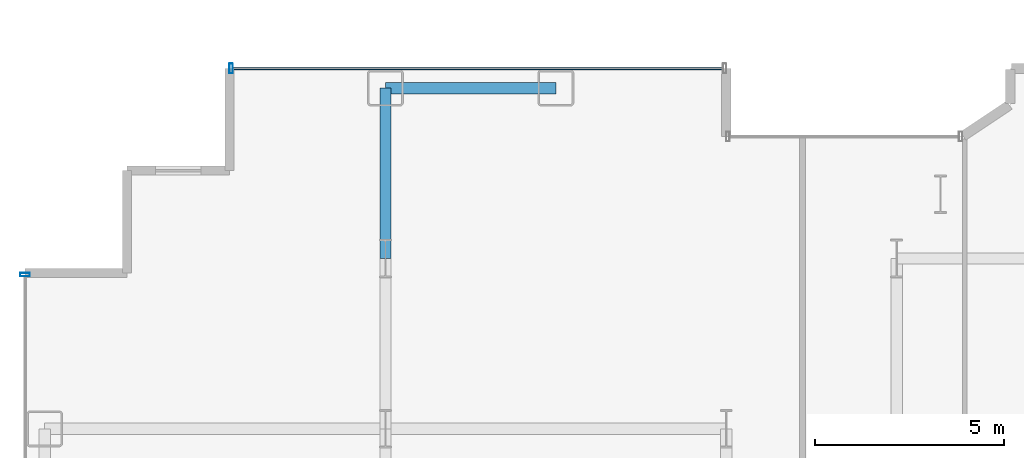
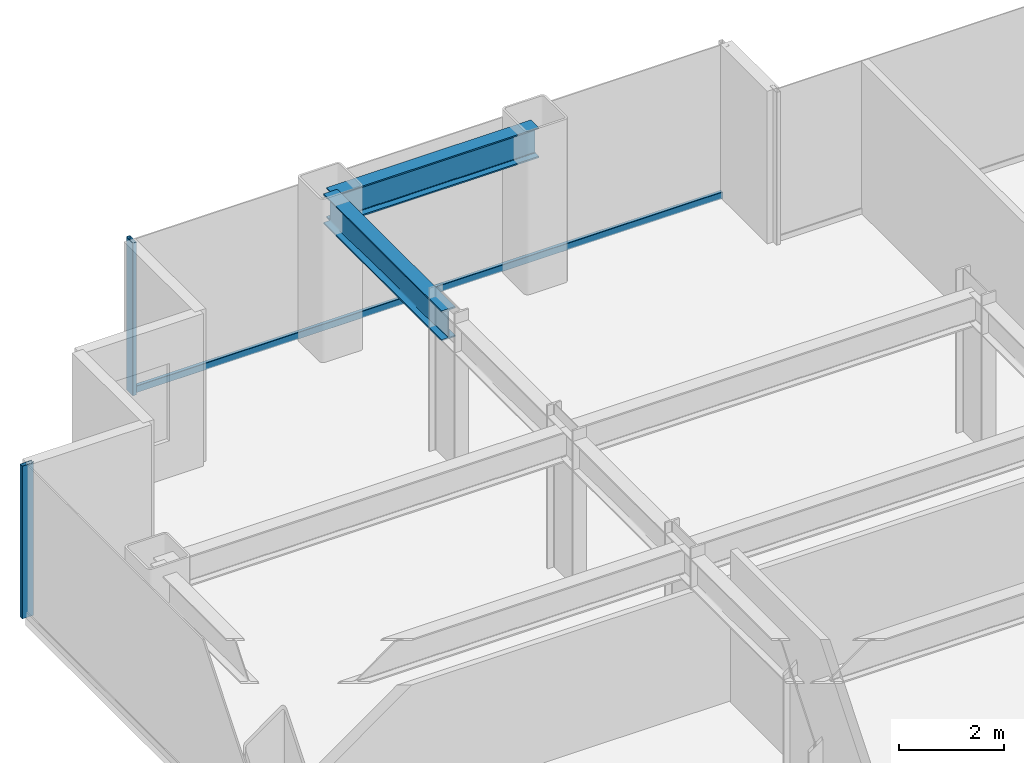
# One storey, part 9 of 26: 3 members, 2 beams, 2 elements without a shape of their own.
"""IFC4 building model written with IfcOpenShell, lengths in metres."""

from ifc_helpers import new_model, si_unit, direction, frame, origin, origin_2d, place, context, subcontext, project, spatial, hollow_rectangle, i_section, extrude, source, transform, mapped, material, layer, layer_set, material_profile, profile_set, type_object, element, aggregate, save


model = new_model("IFC4")

# Units and contexts
model_context = context("Model", 3, precision=1e-05, world=origin(), true_north=direction((0.0, 1.0)))
body_context = subcontext(model_context, "Body", "Model", "MODEL_VIEW")
ifc_project = project(units=[si_unit("LENGTHUNIT", "METRE"), si_unit("AREAUNIT", "SQUARE_METRE"), si_unit("VOLUMEUNIT", "CUBIC_METRE"), si_unit("PLANEANGLEUNIT", "RADIAN"), si_unit("MASSUNIT", "GRAM", prefix="KILO")], contexts=[model_context])

# Site, building, storey
site_placement = place(None, origin())
site = spatial("IfcSite", under=ifc_project, at=site_placement, CompositionType="ELEMENT")
building_placement = place(site_placement, origin())
building = spatial("IfcBuilding", under=site, at=building_placement, Name="Nefas-Gora Pilgrimage Tower", CompositionType="ELEMENT")
storey_placement = place(building_placement, frame((0.0, 0.0, 63.39990234375)))
storey = spatial("IfcBuildingStorey", under=building, at=storey_placement, Name="L14", CompositionType="ELEMENT", Elevation=63.39990234375)

# Beams
ifc_material_1 = material(Name="Steel S355", Category="steel")
ifc_material_profile_1 = material_profile(ifc_material_1, i_section(OverallWidth=0.300048828125, OverallDepth=0.699951171875, WebThickness=0.01708984375, FlangeThickness=0.031982421875, FilletRadius=0.027099609375, at=origin_2d()), Name="HEB 700")
ifc_profile_set_1 = profile_set([ifc_material_profile_1], Name="Steel S355")
beam_type_1 = type_object("IfcBeamType", Name="BM-SPN-HEB600", PredefinedType="SPANDREL", material=ifc_profile_set_1)
shared_shape_1 = source(origin(), body_context, "Body", "SweptSolid", [
    extrude(i_section(OverallWidth=0.300048828125, OverallDepth=0.699951171875, WebThickness=0.01708984375, FlangeThickness=0.031982421875, FilletRadius=0.027099609375, at=origin_2d()), origin(), (0.0, 0.0, 1.0), 4.5),
])
beam_1_placement = place(storey_placement, frame((-24.75, 22.5, 3.2001953125), z_axis=(1.0, 0.0, 0.0), x_axis=(0.0, 1.0, 0.0)))
element("IfcBeam", 1, at=beam_1_placement, inside=storey, type_object=beam_type_1, Name="L14 SP-01 beam", PredefinedType="SPANDREL", context=body_context, shape_type="MappedRepresentation", body=[
    mapped(shared_shape_1, transform((0.0, 0.0, 0.0), x_axis=(1.0, 0.0, 0.0), y_axis=(0.0, 1.0, 0.0), z_axis=(0.0, 0.0, 1.0), scale=1.0)),
])
ifc_material_profile_2 = material_profile(ifc_material_1, i_section(OverallWidth=0.300048828125, OverallDepth=0.699951171875, WebThickness=0.01708984375, FlangeThickness=0.031982421875, FilletRadius=0.027099609375, at=origin_2d()), Name="HEB 700")
ifc_profile_set_2 = profile_set([ifc_material_profile_2], Name="Steel S355")
beam_type_2 = type_object("IfcBeamType", Name="BM-GIR-HEB700", PredefinedType="BEAM", material=ifc_profile_set_2)
shared_shape_2 = source(origin(), body_context, "Body", "SweptSolid", [
    extrude(i_section(OverallWidth=0.300048828125, OverallDepth=0.699951171875, WebThickness=0.01708984375, FlangeThickness=0.031982421875, FilletRadius=0.027099609375, at=origin_2d()), origin(), (0.0, 0.0, 1.0), 4.5),
])
beam_2_placement = place(storey_placement, frame((-24.75, 18.0, 3.2001953125), z_axis=(0.0, 1.0, 0.0), x_axis=(-1.0, 0.0, 0.0)))
element("IfcBeam", 2, at=beam_2_placement, inside=storey, type_object=beam_type_2, Name="L14 G-02 beam", PredefinedType="BEAM", context=body_context, shape_type="MappedRepresentation", body=[
    mapped(shared_shape_2, transform((0.0, 0.0, 0.0), x_axis=(1.0, 0.0, 0.0), y_axis=(0.0, 1.0, 0.0), z_axis=(0.0, 0.0, 1.0), scale=1.0)),
])

# Curtain wall, member
ifc_material_2 = material(Name="Dark ceramic-fritted solar-control aluminium-glass curtain wall", Category="aluminium")
ifc_layer = layer(ifc_material_2, 0.219970703125)
ifc_layer_set = layer_set([ifc_layer], Name="Dark ceramic-fritted solar-control aluminium-glass curtain wall")
curtain_wall_type = type_object("IfcCurtainWallType", Name="CW-SYS-2", PredefinedType="NOTDEFINED", material=ifc_layer_set)
curtain_wall_1_placement = place(storey_placement, origin())
curtain_wall_1 = element("IfcCurtainWall", 3, at=curtain_wall_1_placement, inside=storey, type_object=curtain_wall_type, Name="L14 Unitised Curtain Wall CW2", PredefinedType="NOTDEFINED")
ifc_material_3 = material(Name="Anodised architectural aluminium", Category="aluminium")
ifc_material_profile_3 = material_profile(ifc_material_3, hollow_rectangle(XDim=0.090087890625, YDim=0.260009765625, WallThickness=0.006103515625, InnerFilletRadius=0.006103515625, OuterFilletRadius=0.011962890625, at=origin_2d()), Name="ALU MULLION 90x260")
ifc_profile_set_3 = profile_set([ifc_material_profile_3], Name="Anodised architectural aluminium")
member_type_1 = type_object("IfcMemberType", Name="CWM-MUL-2", PredefinedType="MULLION", material=ifc_profile_set_3)
shared_shape_3 = source(origin(), body_context, "Body", "SweptSolid", [
    extrude(hollow_rectangle(XDim=0.090087890625, YDim=0.260009765625, WallThickness=0.006103515625, InnerFilletRadius=0.006103515625, OuterFilletRadius=0.011962890625, at=origin_2d()), origin(), (0.0, 0.0, 1.0), 3.550048828125),
])
member_1_placement = place(storey_placement, frame((-28.824951171875, 23.02001953125, 0.0), z_axis=(0.0, 0.0, 1.0), x_axis=(-1.0, 0.0, 0.0)))
member_1 = element("IfcMember", 4, at=member_1_placement, type_object=member_type_1, Name="CW2 Mullion 2", PredefinedType="MULLION", context=body_context, shape_type="MappedRepresentation", body=[
    mapped(shared_shape_3, transform((0.0, 0.0, 0.0), x_axis=(1.0, 0.0, 0.0), y_axis=(0.0, 1.0, 0.0), z_axis=(0.0, 0.0, 1.0), scale=1.0)),
])

curtain_wall_2_placement = place(storey_placement, origin())
curtain_wall_2 = element("IfcCurtainWall", 5, at=curtain_wall_2_placement, inside=storey, type_object=curtain_wall_type, Name="L14 Unitised Curtain Wall CW2", PredefinedType="NOTDEFINED")
member_2_placement = place(storey_placement, frame((-34.27001953125, 17.574951171875, 0.0), z_axis=(0.0, 0.0, 1.0), x_axis=(0.0, -1.0, 0.0)))
member_2 = element("IfcMember", 6, at=member_2_placement, type_object=member_type_1, Name="CW2 Mullion 1", PredefinedType="MULLION", context=body_context, shape_type="MappedRepresentation", body=[
    mapped(shared_shape_3, transform((0.0, 0.0, 0.0), x_axis=(1.0, 0.0, 0.0), y_axis=(0.0, 1.0, 0.0), z_axis=(0.0, 0.0, 1.0), scale=1.0)),
])
aggregate(curtain_wall_2, [member_2])

# Member
ifc_material_profile_4 = material_profile(ifc_material_3, hollow_rectangle(XDim=0.080078125, YDim=0.159912109375, WallThickness=0.00439453125, InnerFilletRadius=0.00439453125, OuterFilletRadius=0.009033203125, at=origin_2d()), Name="ALU TRANSOM 80x160")
ifc_profile_set_4 = profile_set([ifc_material_profile_4], Name="Anodised architectural aluminium")
member_type_2 = type_object("IfcMemberType", Name="CWM-TRN-2", PredefinedType="USERDEFINED", material=ifc_profile_set_4)
shared_shape_4 = source(origin(), body_context, "Body", "SweptSolid", [
    extrude(hollow_rectangle(XDim=0.080078125, YDim=0.159912109375, WallThickness=0.00439453125, InnerFilletRadius=0.00439453125, OuterFilletRadius=0.009033203125, at=origin_2d()), origin(), (0.0, 0.0, 1.0), 12.93994140625),
])
member_3_placement = place(storey_placement, frame((-15.840087890625, 23.02001953125, 0.050048828125), z_axis=(-1.0, 0.0, 0.0), x_axis=(0.0, -1.0, 0.0)))
member_3 = element("IfcMember", 7, at=member_3_placement, type_object=member_type_2, Name="CW2 Spandrel Transom", ObjectType="TRANSOM", PredefinedType="USERDEFINED", context=body_context, shape_type="MappedRepresentation", body=[
    mapped(shared_shape_4, transform((0.0, 0.0, 0.0), x_axis=(1.0, 0.0, 0.0), y_axis=(0.0, 1.0, 0.0), z_axis=(0.0, 0.0, 1.0), scale=1.0)),
])

aggregate(curtain_wall_1, [member_1, member_3])

save(model, "model.ifc")
